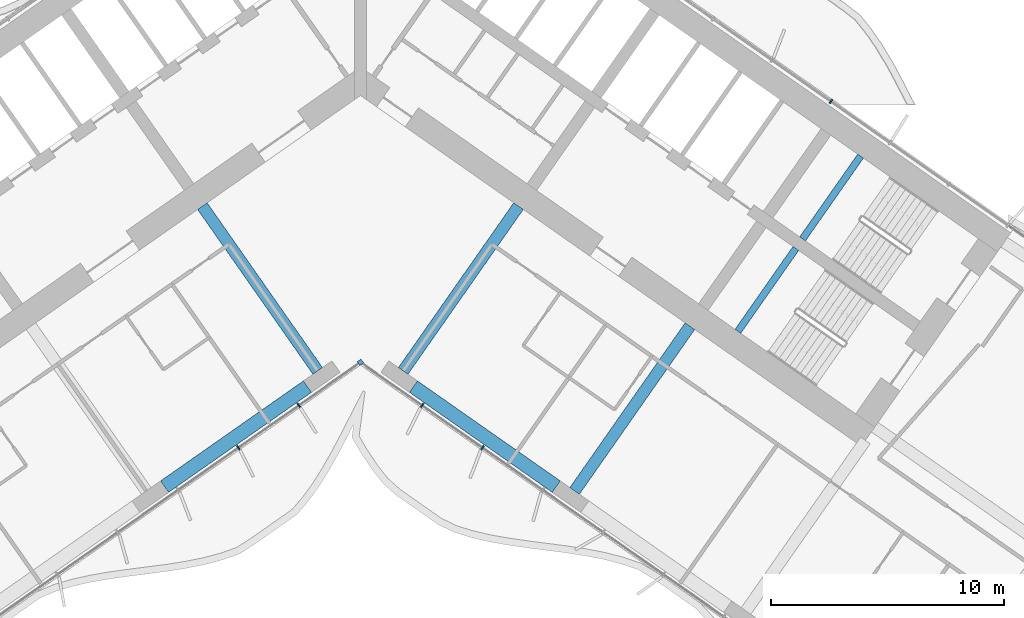
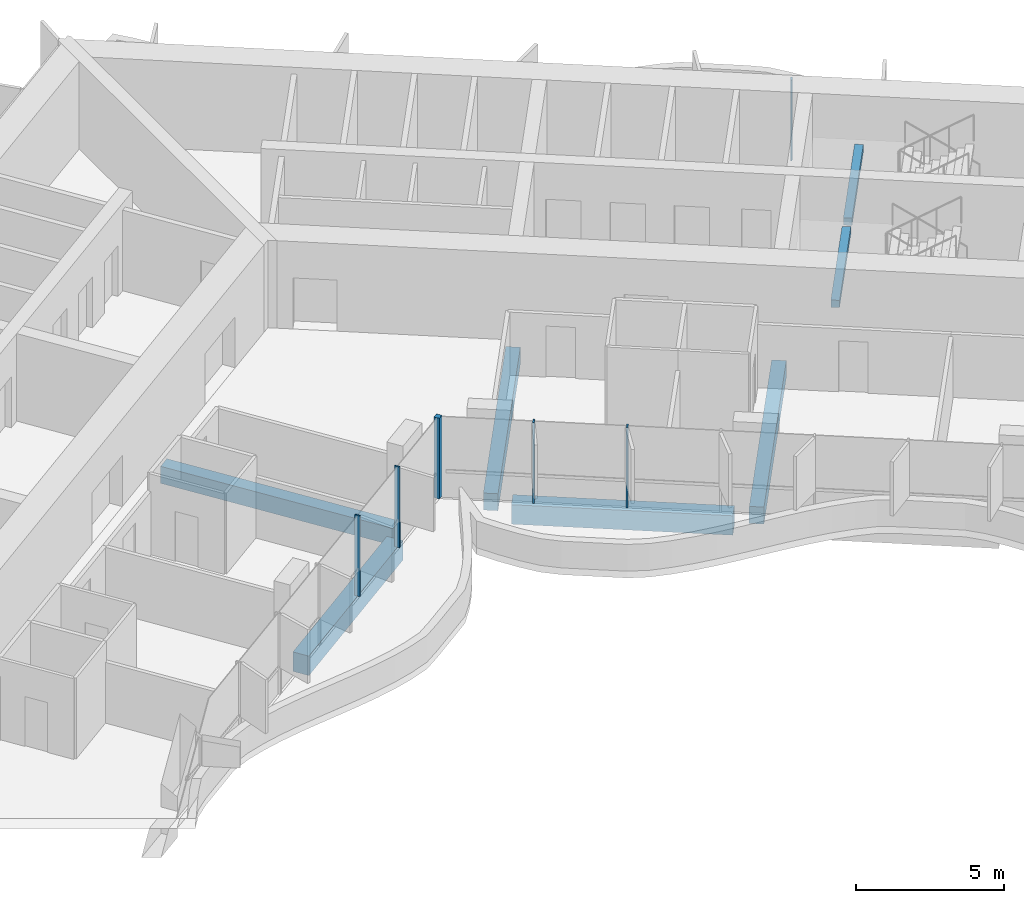
# One storey, part 6 of 22: 7 beams, 6 members, 2 elements without a shape of their own.
"""IFC4 building model written with IfcOpenShell, lengths in metres."""

import ifcopenshell
import ifcopenshell.guid

model = None  # the IFC model being written
_history = None  # IfcOwnerHistory: only IFC2X3 demands one
_inside = {}  # id of a spatial element -> (the spatial element, [elements in it])
_under = {}  # id of a project, library or spatial element -> (it, [spatial elements below it])
_declared = {}  # id of a project -> (the project, [libraries it declares])
_typed = {}  # id of a type object -> (the type object, [elements of that type])
_made_of = {}  # id of a material, layer set ... -> (it, [elements and type objects made of it])


def new_model(schema):
    """Start an empty IFC model of exactly this schema.

    Asked for "IFC4X3", IfcOpenShell would pick the latest addendum, in which some entities
    have other attributes; the version numbers below select the first issue.
    IFC2X3 requires an IfcOwnerHistory on every rooted entity: one is made here for all.
    """
    global model, _history
    if schema == "IFC4X3":
        model = ifcopenshell.file(schema_version=(4, 3, 0, 0))
    else:
        model = ifcopenshell.file(schema=schema)
    _inside.clear()
    _under.clear()
    _declared.clear()
    _typed.clear()
    _made_of.clear()
    _history = None
    if model.schema == "IFC2X3":
        org = make("IfcOrganization", Name="unknown")
        user = make(
            "IfcPersonAndOrganization",
            ThePerson=make("IfcPerson", FamilyName="unknown"),
            TheOrganization=org,
        )
        app = make(
            "IfcApplication",
            ApplicationDeveloper=org,
            Version="unknown",
            ApplicationFullName="unknown",
            ApplicationIdentifier="unknown",
        )
        _history = make(
            "IfcOwnerHistory",
            OwningUser=user,
            OwningApplication=app,
            ChangeAction="ADDED",
            CreationDate=0,
        )
    return model


def make(cls, **values):
    """One entity of the class cls with the attributes given. An attribute that is None is left unset."""
    return model.create_entity(
        cls, **{name: value for name, value in values.items() if value is not None}
    )


def rooted(cls, **values):
    """An entity with a GlobalId (a new one), such as an element, a storey or a relation."""
    return make(cls, GlobalId=ifcopenshell.guid.new(), OwnerHistory=_history, **values)


def si_unit(unit_type, name, prefix=None):
    """IfcSIUnit, for example si_unit("LENGTHUNIT", "METRE", prefix="MILLI")."""
    return make("IfcSIUnit", UnitType=unit_type, Prefix=prefix, Name=name)


def assignment(units):
    """IfcUnitAssignment: the units of a project."""
    return None if units is None else make("IfcUnitAssignment", Units=units)


def point(xyz):
    """IfcCartesianPoint."""
    return None if xyz is None else make("IfcCartesianPoint", Coordinates=xyz)


def direction(xyz):
    """IfcDirection."""
    return None if xyz is None else make("IfcDirection", DirectionRatios=xyz)


def frame(location, z_axis=None, x_axis=None):
    """IfcAxis2Placement3D, a coordinate frame: its origin and axes. An axis left out is left unset."""
    return make(
        "IfcAxis2Placement3D",
        Location=point(location),
        Axis=direction(z_axis),
        RefDirection=direction(x_axis),
    )


def frame_2d(location, x_axis=None):
    """IfcAxis2Placement2D, a coordinate frame in the plane: its origin and x axis."""
    return make(
        "IfcAxis2Placement2D", Location=point(location), RefDirection=direction(x_axis)
    )


def origin():
    """The frame at (0, 0, 0) with its axes left unset."""
    return frame((0.0, 0.0, 0.0))


def origin_2d():
    """The frame at (0, 0) in the plane with its x axis left unset."""
    return frame_2d((0.0, 0.0))


def place(relative_to, where):
    """IfcLocalPlacement: puts the frame where relative to a parent placement (None: the world)."""
    return make(
        "IfcLocalPlacement", PlacementRelTo=relative_to, RelativePlacement=where
    )


def context(
    kind, dimensions, precision=None, world=None, true_north=None, identifier=None
):
    """IfcGeometricRepresentationContext, for example the 3D "Model" context."""
    return make(
        "IfcGeometricRepresentationContext",
        ContextIdentifier=identifier,
        ContextType=kind,
        CoordinateSpaceDimension=dimensions,
        Precision=precision,
        WorldCoordinateSystem=world,
        TrueNorth=true_north,
    )


def subcontext(parent, identifier, kind, view, scale=None):
    """IfcGeometricRepresentationSubContext, for example "Body" below "Model"."""
    return make(
        "IfcGeometricRepresentationSubContext",
        ContextIdentifier=identifier,
        ContextType=kind,
        ParentContext=parent,
        TargetScale=scale,
        TargetView=view,
    )


def project(units=None, contexts=None):
    """IfcProject with its units and contexts."""
    return rooted(
        "IfcProject",
        Name="project",
        RepresentationContexts=contexts,
        UnitsInContext=assignment(units),
    )


def spatial(cls, under=None, at=None, **own):
    """A site, building, storey or space (cls), placed at a placement, below another one or the project."""
    s = rooted(cls, ObjectPlacement=at, **own)
    if under is not None:
        _under.setdefault(under.id(), (under, []))[1].append(s)
    return s


def profile(cls, at=None, kind="AREA", **sizes):
    """A parametric profile (cls). Its sizes go by their IFC names, for example OverallWidth=200.0."""
    return make(cls, ProfileType=kind, Position=at, **sizes)


def rectangle(**sizes):
    """IfcRectangleProfileDef."""
    return profile("IfcRectangleProfileDef", **sizes)


def extrude(swept, where, along, depth):
    """IfcExtrudedAreaSolid: the profile swept, set in the frame where, extruded along a direction by depth."""
    return make(
        "IfcExtrudedAreaSolid",
        SweptArea=swept,
        Position=where,
        ExtrudedDirection=direction(along),
        Depth=depth,
    )


def shape(context_of_items, identifier, shape_type, items):
    """IfcShapeRepresentation: the items that make up one representation, for example the "Body"."""
    return make(
        "IfcShapeRepresentation",
        ContextOfItems=context_of_items,
        RepresentationIdentifier=identifier,
        RepresentationType=shape_type,
        Items=items,
    )


def material(Name=None, Category=None):
    """IfcMaterial."""
    return make("IfcMaterial", Name=Name, Category=Category)


def material_profile(
    of_material, cross_section, Name=None, Category=None, Priority=None
):
    """IfcMaterialProfile: a cross section and its material."""
    return make(
        "IfcMaterialProfile",
        Name=Name,
        Material=of_material,
        Profile=cross_section,
        Priority=Priority,
        Category=Category,
    )


def profile_set(profiles, Name=None, composite=None):
    """IfcMaterialProfileSet."""
    return make(
        "IfcMaterialProfileSet",
        Name=Name,
        MaterialProfiles=profiles,
        CompositeProfile=composite,
    )


def made_of(thing, what):
    """Note that an element or type object is made of a material, layer set ...; save() writes the relation."""
    if what is not None:
        _made_of.setdefault(what.id(), (what, []))[1].append(thing)
    return thing


def type_object(cls, material=None, **own):
    """A type object (cls), such as IfcWallType, which elements share."""
    return made_of(rooted(cls, **own), material)


def element(
    cls,
    number,
    at=None,
    inside=None,
    cuts=None,
    type_object=None,
    material=None,
    context=None,
    identifier="Body",
    shape_type=None,
    held_by="IfcProductDefinitionShape",
    body=None,
    shapes=None,
    **own,
):
    """One element of the class cls, such as IfcWall. Its Tag is "e" and its number.

    at: its placement. inside: the storey or other place that contains it. cuts: it is an
    opening in that element (IfcRelVoidsElement). A single representation is given by context,
    identifier, shape_type and body (its items); several are given by shapes. held_by: the class
    of the entity that holds the representations. save() writes the other relations.
    """
    e = rooted(cls, Tag="e%d" % number, ObjectPlacement=at, **own)
    if body is not None:
        shapes = [shape(context, identifier, shape_type, body)]
    if shapes is not None:
        e.Representation = make(held_by, Representations=shapes)
    if inside is not None:
        _inside.setdefault(inside.id(), (inside, []))[1].append(e)
    if cuts is not None:
        rooted(
            "IfcRelVoidsElement", RelatingBuildingElement=cuts, RelatedOpeningElement=e
        )
    if type_object is not None:
        _typed.setdefault(type_object.id(), (type_object, []))[1].append(e)
    return made_of(e, material)


def aggregate(whole, parts):
    """IfcRelAggregates: a whole, such as a stair, and the parts it consists of."""
    return rooted("IfcRelAggregates", RelatingObject=whole, RelatedObjects=parts)


def save(model, path):
    """Write the relations noted so far, then the file.

    IfcRelAggregates (storeys below a building ...), IfcRelContainedInSpatialStructure (elements
    in a storey), IfcRelDefinesByType, IfcRelAssociatesMaterial and IfcRelDeclares: one each for
    every whole, place, type object, material and project.
    """
    for whole, parts in _under.values():
        aggregate(whole, parts)
    for where, things in _inside.values():
        rooted(
            "IfcRelContainedInSpatialStructure",
            RelatedElements=things,
            RelatingStructure=where,
        )
    for kind, things in _typed.values():
        rooted("IfcRelDefinesByType", RelatedObjects=things, RelatingType=kind)
    for what, things in _made_of.values():
        rooted("IfcRelAssociatesMaterial", RelatedObjects=things, RelatingMaterial=what)
    for by, libraries in _declared.values():
        rooted("IfcRelDeclares", RelatingContext=by, RelatedDefinitions=libraries)
    model.write(path)


model = new_model("IFC4")

# Units and contexts
model_context = context("Model", 3, precision=1e-05, world=origin(), true_north=direction((0.0, 1.0)))
body_context = subcontext(model_context, "Body", "Model", "MODEL_VIEW")
ifc_project = project(units=[si_unit("LENGTHUNIT", "METRE"), si_unit("AREAUNIT", "SQUARE_METRE"), si_unit("VOLUMEUNIT", "CUBIC_METRE"), si_unit("PLANEANGLEUNIT", "RADIAN"), si_unit("MASSUNIT", "GRAM", prefix="KILO")], contexts=[model_context])

# Site, building, storey
site_placement = place(None, origin())
site = spatial("IfcSite", under=ifc_project, at=site_placement, CompositionType="ELEMENT")
building_placement = place(site_placement, origin())
building = spatial("IfcBuilding", under=site, at=building_placement, Name="Tel Ilan Convention Tower", CompositionType="ELEMENT")
storey_placement = place(building_placement, frame((0.0, 0.0, 122.89990234375)))
storey = spatial("IfcBuildingStorey", under=building, at=storey_placement, Name="L27", CompositionType="ELEMENT", Elevation=122.89990234375)

# Beams
ifc_material_1 = material(Name="Concrete C40/50", Category="concrete")
ifc_material_profile_1 = material_profile(ifc_material_1, rectangle(XDim=0.5, YDim=0.699951171875, at=origin_2d()), Name="RC 500x700")
ifc_profile_set_1 = profile_set([ifc_material_profile_1], Name="Concrete C40/50")
beam_type_1 = type_object("IfcBeamType", Name="Beam RC 500x700 Concrete C40/50", PredefinedType="BEAM", material=ifc_profile_set_1)
for number, where, z_axis, x_axis, name in (
    (1, (-1.83740234375, -13.06689453125, -0.6298828125), (-0.573574099654, 0.819153680457, 0.0), (-0.819153680457, -0.573574099654, 0.0), "L27 beam W-W-F1-core"),
    (2, (1.83740234375, -13.06689453125, -0.6298828125), (0.573574099654, 0.819153680457, 0.0), (-0.819153680457, 0.573574099654, 0.0), "L27 beam E-E-F1-core"),
    (3, (9.209716796875, -18.229248046875, -0.6298828125), (0.573574099654, 0.819153680457, 0.0), (-0.819153680457, 0.573574099654, 0.0), "L27 beam E-E-F2-core"),
):
    element("IfcBeam", number, at=place(storey_placement, frame(where, z_axis=z_axis, x_axis=x_axis)), inside=storey, type_object=beam_type_1, Name=name, PredefinedType="BEAM", context=body_context, shape_type="SweptSolid", body=[
        extrude(rectangle(XDim=0.5, YDim=0.699951171875, at=origin_2d()), origin(), (0.0, 0.0, 1.0), 8.64990234375),
    ])
ifc_material_2 = material(Name="Concrete C40/50", Category="concrete")
ifc_material_profile_2 = material_profile(ifc_material_2, rectangle(XDim=0.60009765625, YDim=0.800048828125, at=origin_2d()), Name="RC 600x800")
ifc_profile_set_2 = profile_set([ifc_material_profile_2], Name="Concrete C40/50")
beam_type_2 = type_object("IfcBeamType", Name="Beam RC 600x800 Concrete C40/50", PredefinedType="BEAM", material=ifc_profile_set_2)
for number, where, z_axis, x_axis, name in (
    (4, (-2.279541015625, -13.742919921875, -0.679931640625), (-0.819147803225, -0.57358249317, 0.0), (0.57358249317, -0.819147803225, 0.0), "L27 beam W-W-F1-W-F2"),
    (5, (2.279541015625, -13.742919921875, -0.679931640625), (0.819147803225, -0.57358249317, 0.0), (0.57358249317, 0.819147803225, 0.0), "L27 beam E-E-F1-E-F2"),
):
    element("IfcBeam", number, at=place(storey_placement, frame(where, z_axis=z_axis, x_axis=x_axis)), inside=storey, type_object=beam_type_2, Name=name, PredefinedType="BEAM", context=body_context, shape_type="SweptSolid", body=[
        extrude(rectangle(XDim=0.60009765625, YDim=0.800048828125, at=origin_2d()), origin(), (0.0, 0.0, 1.0), 7.500244140625),
    ])

# Curtain wall, member
ifc_material_3 = material(Name="Aluminium, bronze anodised", Category="aluminium")
curtain_wall_type_1 = type_object("IfcCurtainWallType", Name="CW1 UNITISED CURTAIN WALL, HOTEL TINTED GLASS", PredefinedType="NOTDEFINED", material=ifc_material_3)
curtain_wall_1_placement = place(storey_placement, origin())
curtain_wall_1 = element("IfcCurtainWall", 6, at=curtain_wall_1_placement, inside=storey, type_object=curtain_wall_type_1, Name="Curtain wall CW1-21.02", PredefinedType="NOTDEFINED")
ifc_material_4 = material(Name="Aluminium, bronze anodised", Category="aluminium")
ifc_material_profile_3 = material_profile(ifc_material_4, rectangle(XDim=0.199951171875, YDim=0.199951171875, at=origin_2d()), Name="CW CORNER MULLION 200x200")
ifc_profile_set_3 = profile_set([ifc_material_profile_3], Name="Aluminium, bronze anodised")
member_type_1 = type_object("IfcMemberType", Name="CW CORNER MULLION 200x200", PredefinedType="MULLION", material=ifc_profile_set_3)
member_1_placement = place(storey_placement, frame((0.0, -12.696044921875, 0.0), z_axis=(0.0, 0.0, 1.0), x_axis=(0.819152044289, 0.573576436351, 0.0)))
member_1 = element("IfcMember", 7, at=member_1_placement, type_object=member_type_1, Name="Corner mullion", PredefinedType="MULLION", context=body_context, shape_type="SweptSolid", body=[
    extrude(rectangle(XDim=0.199951171875, YDim=0.199951171875, at=origin_2d()), origin(), (0.0, 0.0, 1.0), 3.320068359375),
])

ifc_material_5 = material(Name="Aluminium, bronze anodised", Category="aluminium")
curtain_wall_type_2 = type_object("IfcCurtainWallType", Name="CW2 STICK CURTAIN WALL, SPANDREL PANELS", PredefinedType="NOTDEFINED", material=ifc_material_5)
curtain_wall_2_placement = place(storey_placement, origin())
curtain_wall_2 = element("IfcCurtainWall", 8, at=curtain_wall_2_placement, inside=storey, type_object=curtain_wall_type_2, Name="Curtain wall CW2-21.01", PredefinedType="NOTDEFINED")
ifc_material_6 = material(Name="Aluminium, bronze anodised", Category="aluminium")
ifc_material_profile_4 = material_profile(ifc_material_6, rectangle(XDim=0.06005859375, YDim=0.199951171875, at=origin_2d()), Name="CW MULLION 60x200")
ifc_profile_set_4 = profile_set([ifc_material_profile_4], Name="Aluminium, bronze anodised")
member_type_2 = type_object("IfcMemberType", Name="CW MULLION 60x200", PredefinedType="MULLION", material=ifc_profile_set_4)
member_2_placement = place(storey_placement, frame((20.238037109375, -1.474853515625, 0.0), z_axis=(0.0, 0.0, 1.0), x_axis=(-0.819152044289, 0.573576436351, 0.0)))
member_2 = element("IfcMember", 9, at=member_2_placement, type_object=member_type_2, Name="Mullion", PredefinedType="MULLION", context=body_context, shape_type="SweptSolid", body=[
    extrude(rectangle(XDim=0.06005859375, YDim=0.199951171875, at=origin_2d()), origin(), (0.0, 0.0, 1.0), 3.320068359375),
])
aggregate(curtain_wall_2, [member_2])

# Member
member_3_placement = place(storey_placement, frame((-5.24755859375, -16.370361328125, 0.0), z_axis=(0.0, 0.0, 1.0), x_axis=(0.819152044289, 0.573576436351, 0.0)))
member_3 = element("IfcMember", 10, at=member_3_placement, type_object=member_type_2, Name="Mullion", PredefinedType="MULLION", context=body_context, shape_type="SweptSolid", body=[
    extrude(rectangle(XDim=0.06005859375, YDim=0.199951171875, at=origin_2d()), origin(), (0.0, 0.0, 1.0), 3.320068359375),
])

member_4_placement = place(storey_placement, frame((-2.65234375, -14.55322265625, 0.0), z_axis=(0.0, 0.0, 1.0), x_axis=(0.819152044289, 0.573576436351, 0.0)))
member_4 = element("IfcMember", 11, at=member_4_placement, type_object=member_type_2, Name="Mullion", PredefinedType="MULLION", context=body_context, shape_type="SweptSolid", body=[
    extrude(rectangle(XDim=0.06005859375, YDim=0.199951171875, at=origin_2d()), origin(), (0.0, 0.0, 1.0), 3.320068359375),
])

member_5_placement = place(storey_placement, frame((2.65234375, -14.55322265625, 0.0), z_axis=(0.0, 0.0, 1.0), x_axis=(0.819152044289, -0.573576436351, 0.0)))
member_5 = element("IfcMember", 12, at=member_5_placement, type_object=member_type_2, Name="Mullion", PredefinedType="MULLION", context=body_context, shape_type="SweptSolid", body=[
    extrude(rectangle(XDim=0.06005859375, YDim=0.199951171875, at=origin_2d()), origin(), (0.0, 0.0, 1.0), 3.320068359375),
])

member_6_placement = place(storey_placement, frame((5.24755859375, -16.370361328125, 0.0), z_axis=(0.0, 0.0, 1.0), x_axis=(0.819152044289, -0.573576436351, 0.0)))
member_6 = element("IfcMember", 13, at=member_6_placement, type_object=member_type_2, Name="Mullion", PredefinedType="MULLION", context=body_context, shape_type="SweptSolid", body=[
    extrude(rectangle(XDim=0.06005859375, YDim=0.199951171875, at=origin_2d()), origin(), (0.0, 0.0, 1.0), 3.320068359375),
])

aggregate(curtain_wall_1, [member_3, member_4, member_1, member_5, member_6])

# Beams
ifc_material_7 = material(Name="Concrete C40/50", Category="concrete")
ifc_material_profile_5 = material_profile(ifc_material_7, rectangle(XDim=0.300048828125, YDim=0.300048828125, at=origin_2d()), Name="RC 300x300")
ifc_profile_set_5 = profile_set([ifc_material_profile_5], Name="Concrete C40/50")
beam_type_3 = type_object("IfcBeamType", Name="Landing Beam RC 300x300 Concrete C40/50", PredefinedType="BEAM", material=ifc_profile_set_5)
beam_1_placement = place(storey_placement, frame((21.5087890625, -3.829345703125, 1.4501953125), z_axis=(-0.57356780395, -0.819158088694, 0.0), x_axis=(0.819158088694, -0.57356780395, 0.0)))
element("IfcBeam", 14, at=beam_1_placement, inside=storey, type_object=beam_type_3, Name="S3 landing beam L27.1", PredefinedType="BEAM", context=body_context, shape_type="SweptSolid", body=[
    extrude(rectangle(XDim=0.300048828125, YDim=0.300048828125, at=origin_2d()), origin(), (0.0, 0.0, 1.0), 4.35009765625),
])
beam_2_placement = place(storey_placement, frame((18.726806640625, -7.80224609375, 1.4501953125), z_axis=(-0.573594173421, -0.819139624372, 0.0), x_axis=(0.819139624372, -0.573594173421, 0.0)))
element("IfcBeam", 15, at=beam_2_placement, inside=storey, type_object=beam_type_3, Name="S4 landing beam L27.1", PredefinedType="BEAM", context=body_context, shape_type="SweptSolid", body=[
    extrude(rectangle(XDim=0.300048828125, YDim=0.300048828125, at=origin_2d()), origin(), (0.0, 0.0, 1.0), 4.349853515625),
])

save(model, "model.ifc")
